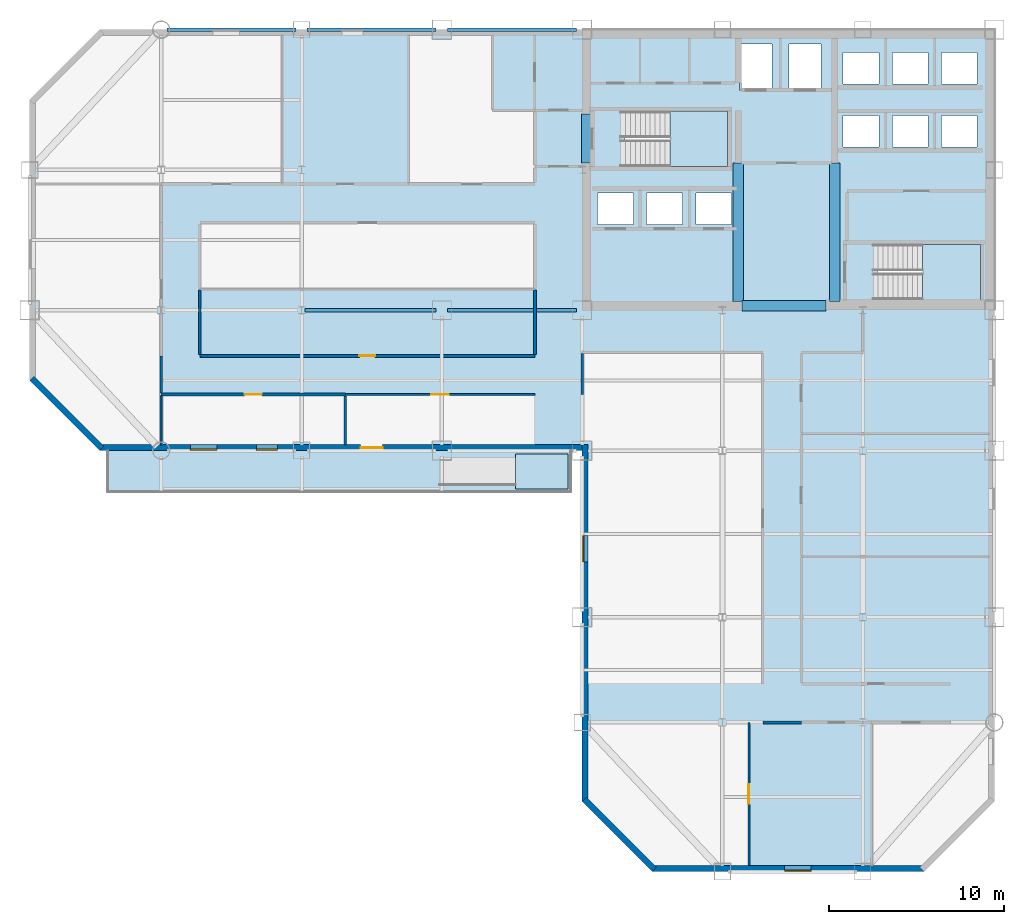
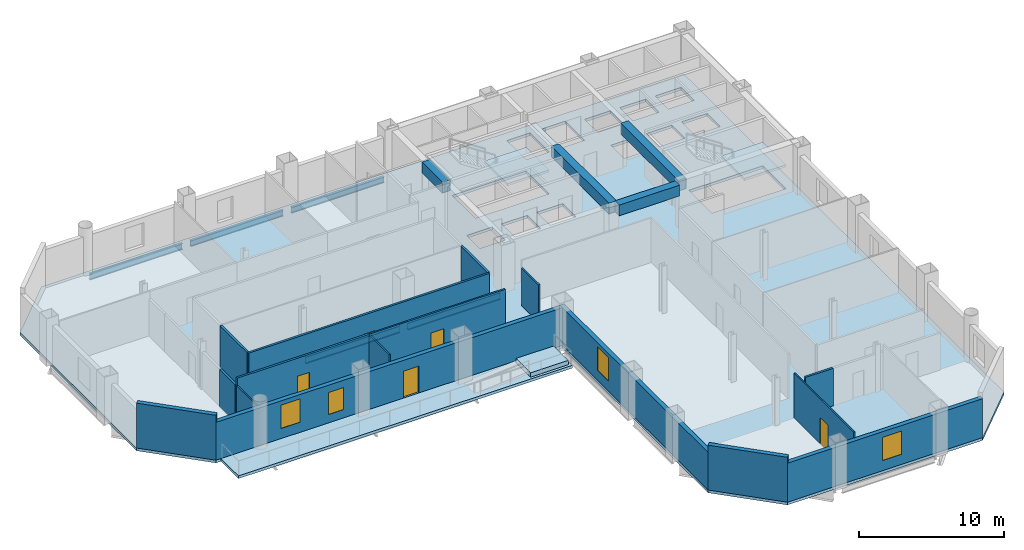
# One storey, part 5 of 10: 16 walls, 9 beams, 5 doors, 5 slabs, 4 windows, 9 openings, 3 elements without a shape of their own.
"""IFC4 building model written with IfcOpenShell, lengths in metres."""

from ifc_helpers import new_model, si_unit, direction, frame, frame_2d, origin, origin_2d, place, context, subcontext, project, spatial, polyline, rectangle, i_section, outline, extrude, material, layer, layer_set, material_profile, profile_set, type_object, element, fill, aggregate, save


model = new_model("IFC4")

# Units and contexts
model_context = context("Model", 3, precision=1e-05, world=origin(), true_north=direction((0.0, 1.0)))
body_context = subcontext(model_context, "Body", "Model", "MODEL_VIEW")
ifc_project = project(units=[si_unit("LENGTHUNIT", "METRE"), si_unit("AREAUNIT", "SQUARE_METRE"), si_unit("VOLUMEUNIT", "CUBIC_METRE"), si_unit("PLANEANGLEUNIT", "RADIAN"), si_unit("MASSUNIT", "GRAM", prefix="KILO")], contexts=[model_context])

# Site, building, storey
site_placement = place(None, origin())
site = spatial("IfcSite", under=ifc_project, at=site_placement, CompositionType="ELEMENT")
building_placement = place(site_placement, origin())
building = spatial("IfcBuilding", under=site, at=building_placement, Name="Qianrong Seaharbour Tower", CompositionType="ELEMENT")
storey_placement = place(building_placement, frame((0.0, 0.0, 187.0)))
storey = spatial("IfcBuildingStorey", under=building, at=storey_placement, Name="L45", CompositionType="ELEMENT", Elevation=187.0)

# Beams
ifc_material_1 = material(Name="Structural steel SN490B", Category="steel")
ifc_material_profile_1 = material_profile(ifc_material_1, i_section(OverallWidth=0.199951171875, OverallDepth=0.60009765625, WebThickness=0.010986328125, FlangeThickness=0.01708984375, FilletRadius=0.02197265625, at=origin_2d()), Name="H600x200x11x17")
ifc_profile_set_1 = profile_set([ifc_material_profile_1], Name="Structural steel SN490B")
beam_type_1 = type_object("IfcBeamType", Name="BM-G-600", PredefinedType="BEAM", material=ifc_profile_set_1)
beam_1_placement = place(storey_placement, frame((24.699951171875, 36.0, -0.534912109375), z_axis=(1.0, 0.0, 0.0), x_axis=(0.0, 1.0, 0.0)))
element("IfcBeam", 1, at=beam_1_placement, inside=storey, type_object=beam_type_1, Name="L45 Primary Girder GF G4-G5", PredefinedType="BEAM", context=body_context, shape_type="SweptSolid", body=[
    extrude(i_section(OverallWidth=0.199951171875, OverallDepth=0.60009765625, WebThickness=0.010986328125, FlangeThickness=0.01708984375, FilletRadius=0.02197265625, at=origin_2d()), origin(), (0.0, 0.0, 1.0), 7.47998046875),
])
beam_2_placement = place(storey_placement, frame((32.820068359375, 36.0, -0.534912109375), z_axis=(1.0, 0.0, 0.0), x_axis=(0.0, 1.0, 0.0)))
element("IfcBeam", 2, at=beam_2_placement, inside=storey, type_object=beam_type_1, Name="L45 Primary Girder GF G5-G6", PredefinedType="BEAM", context=body_context, shape_type="SweptSolid", body=[
    extrude(i_section(OverallWidth=0.199951171875, OverallDepth=0.60009765625, WebThickness=0.010986328125, FlangeThickness=0.01708984375, FilletRadius=0.02197265625, at=origin_2d()), origin(), (0.0, 0.0, 1.0), 7.35986328125),
])
ifc_material_2 = material(Name="Concrete C70/85", Category="concrete")
ifc_material_profile_2 = material_profile(ifc_material_2, rectangle(XDim=0.60009765625, YDim=0.89990234375, at=origin_2d()), Name="RC600x900")
ifc_profile_set_2 = profile_set([ifc_material_profile_2], Name="Concrete C70/85")
beam_type_2 = type_object("IfcBeamType", Name="BM-LINTEL-900", PredefinedType="LINTEL", material=ifc_profile_set_2)
beam_3_placement = place(storey_placement, frame((40.75, 44.39990234375, 3.31494140625), z_axis=(0.0, 1.0, 0.0), x_axis=(-1.0, 0.0, 0.0)))
element("IfcBeam", 3, at=beam_3_placement, inside=storey, type_object=beam_type_2, Name="L45 Core Coupling Lintel Beam West", PredefinedType="LINTEL", context=body_context, shape_type="SweptSolid", body=[
    extrude(rectangle(XDim=0.60009765625, YDim=0.89990234375, at=origin_2d()), origin(), (0.0, 0.0, 1.0), 2.800048828125),
])
beam_4_placement = place(storey_placement, frame((49.60009765625, 36.25, 3.31494140625), z_axis=(1.0, 0.0, 0.0), x_axis=(0.0, 1.0, 0.0)))
element("IfcBeam", 4, at=beam_4_placement, inside=storey, type_object=beam_type_2, Name="L45 Core Coupling Lintel Beam CBC", PredefinedType="LINTEL", context=body_context, shape_type="SweptSolid", body=[
    extrude(rectangle(XDim=0.60009765625, YDim=0.89990234375, at=origin_2d()), origin(), (0.0, 0.0, 1.0), 4.7998046875),
])
for number, where, z_axis, x_axis, name in (
    (5, (49.39990234375, 36.5, 3.31494140625), (0.0, 1.0, 0.0), (-1.0, 0.0, 0.0), "L45 Internal Core Coupling Beam IW1"),
    (6, (54.89990234375, 36.5, 3.31494140625), (0.0, 1.0, 0.0), (-1.0, 0.0, 0.0), "L45 Internal Core Coupling Beam IW2"),
):
    element("IfcBeam", number, at=place(storey_placement, frame(where, z_axis=z_axis, x_axis=x_axis)), inside=storey, type_object=beam_type_2, Name=name, PredefinedType="LINTEL", context=body_context, shape_type="SweptSolid", body=[
        extrude(rectangle(XDim=0.60009765625, YDim=0.89990234375, at=origin_2d()), origin(), (0.0, 0.0, 1.0), 7.89990234375),
    ])
ifc_material_profile_3 = material_profile(ifc_material_1, i_section(OverallWidth=0.199951171875, OverallDepth=0.5, WebThickness=0.010009765625, FlangeThickness=0.01611328125, FilletRadius=0.02001953125, at=origin_2d()), Name="H500x200x10x16")
ifc_profile_set_3 = profile_set([ifc_material_profile_3], Name="Structural steel SN490B")
beam_type_3 = type_object("IfcBeamType", Name="BM-SP-500", PredefinedType="SPANDREL", material=ifc_profile_set_3)
for number, where, z_axis, x_axis, name in (
    (7, (16.820068359375, 52.0, -0.485107421875), (1.0, 0.0, 0.0), (0.0, 1.0, 0.0), "L45 Spandrel Girder GH G3-G4"),
    (8, (24.820068359375, 52.0, -0.485107421875), (1.0, 0.0, 0.0), (0.0, 1.0, 0.0), "L45 Spandrel Girder GH G4-G5"),
    (9, (32.820068359375, 52.0, -0.485107421875), (1.0, 0.0, 0.0), (0.0, 1.0, 0.0), "L45 Spandrel Girder GH G5-G6"),
):
    element("IfcBeam", number, at=place(storey_placement, frame(where, z_axis=z_axis, x_axis=x_axis)), inside=storey, type_object=beam_type_3, Name=name, PredefinedType="SPANDREL", context=body_context, shape_type="SweptSolid", body=[
        extrude(i_section(OverallWidth=0.199951171875, OverallDepth=0.5, WebThickness=0.010009765625, FlangeThickness=0.01611328125, FilletRadius=0.02001953125, at=origin_2d()), origin(), (0.0, 0.0, 1.0), 7.35986328125),
    ])

# Ramp, slab
ifc_material_3 = material(Name="White architectural precast concrete C45/55", Category="concrete")
ramp_type = type_object("IfcRampType", Name="RAMP-RIBBON-GARDEN", PredefinedType="STRAIGHT_RUN_RAMP", material=ifc_material_3)
ramp_placement = place(storey_placement, origin())
ramp = element("IfcRamp", 10, at=ramp_placement, inside=storey, type_object=ramp_type, Name="L45 Harbourfront Garden Ribbon Ramp", PredefinedType="STRAIGHT_RUN_RAMP")
ifc_layer_1 = layer(ifc_material_3, 0.360107421875)
ifc_layer_set_1 = layer_set([ifc_layer_1], Name="White architectural precast concrete C45/55")
slab_type_1 = type_object("IfcSlabType", Name="SLAB-RAMP-LANDING-220", PredefinedType="LANDING", material=ifc_layer_set_1)
slab_1_placement = place(storey_placement, origin())
slab_1 = element("IfcSlab", 11, at=slab_1_placement, type_object=slab_type_1, Name="L45 Harbourfront Ribbon Raised Garden Landing", PredefinedType="LANDING", context=body_context, shape_type="SweptSolid", body=[
    extrude(outline(polyline([(36.699951171875, 25.800048828125), (39.699951171875, 25.800048828125), (39.699951171875, 27.800048828125), (36.699951171875, 27.800048828125), (36.699951171875, 25.800048828125)])), origin(), (0.0, 0.0, 1.0), 0.360107421875),
])
aggregate(ramp, [slab_1])

# Slab
ifc_layer_2 = layer(ifc_material_3, 0.235107421875)
ifc_layer_set_2 = layer_set([ifc_layer_2], Name="White architectural precast concrete C45/55")
slab_type_2 = type_object("IfcSlabType", Name="SLAB-RIBBON-235", PredefinedType="FLOOR", material=ifc_layer_set_2)
slab_2_placement = place(storey_placement, frame((0.0, 0.0, -0.235107421875)))
element("IfcSlab", 12, at=slab_2_placement, inside=storey, type_object=slab_type_2, Name="L45 Harbourfront White Precast Ribbon Gallery Slab", PredefinedType="FLOOR", context=body_context, shape_type="SweptSolid", body=[
    extrude(outline(polyline([(13.39990234375, 25.60009765625), (39.89990234375, 25.60009765625), (39.89990234375, 28.0), (13.39990234375, 28.0), (13.39990234375, 25.60009765625)])), origin(), (0.0, 0.0, 1.0), 0.235107421875),
])

# Stair, slab
ifc_material_4 = material(Name="Concrete C50/60", Category="concrete")
stair_type = type_object("IfcStairType", Name="STAIR-DOGLEG-1500-R22", PredefinedType="HALF_TURN_STAIR", material=ifc_material_4)
stair_1_placement = place(storey_placement, origin())
stair_1 = element("IfcStair", 13, at=stair_1_placement, inside=storey, type_object=stair_type, Name="L45 Protected Escape Stair ST-1", PredefinedType="HALF_TURN_STAIR")
ifc_layer_3 = layer(ifc_material_4, 0.199951171875)
ifc_layer_set_3 = layer_set([ifc_layer_3], Name="Concrete C50/60")
slab_type_3 = type_object("IfcSlabType", Name="SLAB-STAIR-LANDING-200", PredefinedType="LANDING", material=ifc_layer_set_3)
slab_3_placement = place(storey_placement, frame((0.0, 0.0, 1.800048828125)))
slab_3 = element("IfcSlab", 14, at=slab_3_placement, type_object=slab_type_3, Name="ST-1 landing 1", PredefinedType="LANDING", context=body_context, shape_type="SweptSolid", body=[
    extrude(outline(polyline([(45.5, 44.199951171875), (48.800048828125, 44.199951171875), (48.800048828125, 47.35009765625), (45.5, 47.35009765625), (45.5, 44.199951171875)])), origin(), (0.0, 0.0, 1.0), 0.199951171875),
])
aggregate(stair_1, [slab_3])

stair_2_placement = place(storey_placement, origin())
stair_2 = element("IfcStair", 15, at=stair_2_placement, inside=storey, type_object=stair_type, Name="L45 Protected Escape Stair ST-2", PredefinedType="HALF_TURN_STAIR")
slab_4_placement = place(storey_placement, frame((0.0, 0.0, 1.800048828125)))
slab_4 = element("IfcSlab", 16, at=slab_4_placement, type_object=slab_type_3, Name="ST-2 landing 1", PredefinedType="LANDING", context=body_context, shape_type="SweptSolid", body=[
    extrude(outline(polyline([(59.89990234375, 36.60009765625), (63.199951171875, 36.60009765625), (63.199951171875, 39.75), (59.89990234375, 39.75), (59.89990234375, 36.60009765625)])), origin(), (0.0, 0.0, 1.0), 0.199951171875),
])
aggregate(stair_2, [slab_4])

# Slab
ifc_layer_4 = layer(ifc_material_4, 0.235107421875)
ifc_layer_set_4 = layer_set([ifc_layer_4], Name="Concrete C50/60")
slab_type_4 = type_object("IfcSlabType", Name="SLAB-Z2-235", PredefinedType="FLOOR", material=ifc_layer_set_4)
slab_5_placement = place(storey_placement, frame((0.0, 0.0, -0.235107421875)))
element("IfcSlab", 17, at=slab_5_placement, inside=storey, type_object=slab_type_4, Name="L45 Structural Floor Slab", PredefinedType="FLOOR", context=body_context, shape_type="SweptSolid", body=[
    extrude(outline(polyline([(44.5, 4.0), (60.0, 4.0), (64.0, 8.0), (64.0, 52.0), (13.0, 52.0), (9.0, 48.0), (9.0, 32.0), (13.0, 28.0), (40.5, 28.0), (40.5, 8.0), (44.5, 4.0)]), holes=[polyline([(42.93994140625, 44.199951171875), (42.93994140625, 47.35009765625), (48.800048828125, 47.35009765625), (48.800048828125, 44.199951171875), (42.93994140625, 44.199951171875)]), polyline([(57.340087890625, 36.60009765625), (57.340087890625, 39.75), (63.199951171875, 39.75), (63.199951171875, 36.60009765625), (57.340087890625, 36.60009765625)]), polyline([(49.47998046875, 48.530029296875), (49.47998046875, 51.169921875), (51.320068359375, 51.169921875), (51.320068359375, 48.530029296875), (49.47998046875, 48.530029296875)]), polyline([(52.280029296875, 48.530029296875), (52.280029296875, 51.169921875), (54.1201171875, 51.169921875), (54.1201171875, 48.530029296875), (52.280029296875, 48.530029296875)]), polyline([(41.3798828125, 40.89990234375), (41.3798828125, 42.699951171875), (43.419921875, 42.699951171875), (43.419921875, 40.89990234375), (41.3798828125, 40.89990234375)]), polyline([(44.179931640625, 40.89990234375), (44.179931640625, 42.699951171875), (46.219970703125, 42.699951171875), (46.219970703125, 40.89990234375), (44.179931640625, 40.89990234375)]), polyline([(46.97998046875, 40.89990234375), (46.97998046875, 42.699951171875), (49.02001953125, 42.699951171875), (49.02001953125, 40.89990234375), (46.97998046875, 40.89990234375)]), polyline([(55.3798828125, 45.300048828125), (55.3798828125, 47.10009765625), (57.419921875, 47.10009765625), (57.419921875, 45.300048828125), (55.3798828125, 45.300048828125)]), polyline([(58.179931640625, 45.300048828125), (58.179931640625, 47.10009765625), (60.219970703125, 47.10009765625), (60.219970703125, 45.300048828125), (58.179931640625, 45.300048828125)]), polyline([(60.97998046875, 45.300048828125), (60.97998046875, 47.10009765625), (63.02001953125, 47.10009765625), (63.02001953125, 45.300048828125), (60.97998046875, 45.300048828125)]), polyline([(55.3798828125, 48.89990234375), (55.3798828125, 50.699951171875), (57.419921875, 50.699951171875), (57.419921875, 48.89990234375), (55.3798828125, 48.89990234375)]), polyline([(58.179931640625, 48.89990234375), (58.179931640625, 50.699951171875), (60.219970703125, 50.699951171875), (60.219970703125, 48.89990234375), (58.179931640625, 48.89990234375)]), polyline([(60.97998046875, 48.89990234375), (60.97998046875, 50.699951171875), (63.02001953125, 50.699951171875), (63.02001953125, 48.89990234375), (60.97998046875, 48.89990234375)])]), origin(), (0.0, 0.0, 1.0), 0.235107421875),
])

# Wall, opening, door
ifc_material_5 = material(Name="Fire-rated acoustic gypsum board partition")
ifc_layer_5 = layer(ifc_material_5, 0.1650390625)
ifc_layer_set_5 = layer_set([ifc_layer_5], Name="Fire-rated acoustic gypsum board partition")
wall_type_1 = type_object("IfcWallType", Name="WALL-CORR-PART-165", PredefinedType="PARTITIONING", material=ifc_layer_set_5)
wall_1_placement = place(storey_placement, frame((18.699951171875, 33.39990234375, 0.0), z_axis=(0.0, 0.0, 1.0), x_axis=(1.0, 0.0, 0.0)))
wall_1 = element("IfcWall", 18, at=wall_1_placement, inside=storey, type_object=wall_type_1, Name="L45 Interior Partition Wall 015", PredefinedType="PARTITIONING", context=body_context, shape_type="SweptSolid", body=[
    extrude(rectangle(XDim=19.10009765625, YDim=0.1650390625, at=frame_2d((9.550048828125, 0.0))), origin(), (0.0, 0.0, 1.0), 3.764892578125),
])
opening_1_placement = place(wall_1_placement, frame((9.10009765625, 0.0, 0.0)))
opening_1 = element("IfcOpeningElement", 19, at=opening_1_placement, cuts=wall_1, Name="Opening DS-01", PredefinedType="OPENING", context=body_context, shape_type="SweptSolid", body=[
    extrude(rectangle(XDim=0.89990234375, YDim=2.14990234375, at=frame_2d((0.449951171875, 1.074951171875))), frame((0.0, 0.092529296875, 0.0), z_axis=(0.0, -1.0, 0.0), x_axis=(1.0, 0.0, 0.0)), (0.0, 0.0, 1.0), 0.18505859375),
])
ifc_material_6 = material(Name="Acoustic timber and galvanized steel fire door assembly", Category="steel")
door_type_1 = type_object("IfcDoorType", Name="DOOR-STORE-900x2150", OperationType="NOTDEFINED", PredefinedType="DOOR", material=ifc_material_6)
door_1_placement = place(opening_1_placement, origin())
door_1 = element("IfcDoor", 20, at=door_1_placement, inside=storey, type_object=door_type_1, Name="L45 Deed Registry Vault Store 1 Door", OperationType="SINGLE_SWING_RIGHT", OverallHeight=2.14990234375, OverallWidth=0.89990234375, PredefinedType="DOOR", context=body_context, shape_type="SweptSolid", body=[
    extrude(rectangle(XDim=0.89990234375, YDim=2.14990234375, at=frame_2d((0.449951171875, 1.074951171875))), frame((0.0, 0.02490234375, 0.0), z_axis=(0.0, -1.0, 0.0), x_axis=(1.0, 0.0, 0.0)), (0.0, 0.0, 1.0), 0.050048828125),
])
fill(opening_1, door_1)

# Wall
wall_2_placement = place(storey_placement, frame((16.5, 31.2744140625, 0.0), z_axis=(0.0, 0.0, 1.0), x_axis=(0.0, 1.0, 0.0)))
element("IfcWall", 21, at=wall_2_placement, inside=storey, type_object=wall_type_1, Name="L45 Interior Partition Wall 016", PredefinedType="PARTITIONING", context=body_context, shape_type="SweptSolid", body=[
    extrude(rectangle(XDim=2.12548828125, YDim=0.1650390625, at=frame_2d((1.062744140625, 0.0))), origin(), (0.0, 0.0, 1.0), 3.156982421875),
])

# Wall, opening, door
wall_3_placement = place(storey_placement, frame((27.0, 31.199951171875, 0.0), z_axis=(0.0, 0.0, 1.0), x_axis=(-1.0, 0.0, 0.0)))
wall_3 = element("IfcWall", 22, at=wall_3_placement, inside=storey, type_object=wall_type_1, Name="L45 Interior Partition Wall 017", PredefinedType="PARTITIONING", context=body_context, shape_type="SweptSolid", body=[
    extrude(rectangle(XDim=10.5, YDim=0.1650390625, at=frame_2d((5.25, 0.0))), origin(), (0.0, 0.0, 1.0), 3.764892578125),
])
opening_2_placement = place(wall_3_placement, frame((4.760009765625, 0.0, 0.0)))
opening_2 = element("IfcOpeningElement", 23, at=opening_2_placement, cuts=wall_3, Name="Opening DE-01", PredefinedType="OPENING", context=body_context, shape_type="SweptSolid", body=[
    extrude(rectangle(XDim=0.97998046875, YDim=2.25, at=frame_2d((0.489990234375, 1.125))), frame((0.0, 0.092529296875, 0.0), z_axis=(0.0, -1.0, 0.0), x_axis=(1.0, 0.0, 0.0)), (0.0, 0.0, 1.0), 0.18505859375),
])
door_type_2 = type_object("IfcDoorType", Name="DOOR-EXEC-980x2250", OperationType="NOTDEFINED", PredefinedType="DOOR", material=ifc_material_6)
door_2_placement = place(opening_2_placement, origin())
door_2 = element("IfcDoor", 24, at=door_2_placement, inside=storey, type_object=door_type_2, Name="L45 Partner Chambers Office 1 Door", OperationType="SINGLE_SWING_LEFT", OverallHeight=2.25, OverallWidth=0.97998046875, PredefinedType="DOOR", context=body_context, shape_type="SweptSolid", body=[
    extrude(rectangle(XDim=0.97998046875, YDim=2.25, at=frame_2d((0.489990234375, 1.125))), frame((0.0, 0.02490234375, 0.0), z_axis=(0.0, -1.0, 0.0), x_axis=(1.0, 0.0, 0.0)), (0.0, 0.0, 1.0), 0.050048828125),
])
fill(opening_2, door_2)

# Walls
for number, where, z_axis, x_axis, name in (
    (25, (18.699951171875, 37.153076171875, 0.0), (0.0, 0.0, 1.0), (0.0, -1.0, 0.0), "L45 Interior Partition Wall 024"),
    (26, (37.800048828125, 33.474609375, 0.0), (0.0, 0.0, 1.0), (0.0, 1.0, 0.0), "L45 Interior Partition Wall 028"),
):
    element("IfcWall", number, at=place(storey_placement, frame(where, z_axis=z_axis, x_axis=x_axis)), inside=storey, type_object=wall_type_1, Name=name, PredefinedType="PARTITIONING", context=body_context, shape_type="SweptSolid", body=[
        extrude(rectangle(XDim=3.678466796875, YDim=0.1650390625, at=frame_2d((1.83935546875, 0.0))), origin(), (0.0, 0.0, 1.0), 3.764892578125),
    ])
wall_4_placement = place(storey_placement, frame((53.0, 12.5, 0.0), z_axis=(0.0, 0.0, 1.0), x_axis=(-1.0, 0.0, 0.0)))
element("IfcWall", 27, at=wall_4_placement, inside=storey, type_object=wall_type_1, Name="L45 Interior Partition Wall 038", PredefinedType="PARTITIONING", context=body_context, shape_type="SweptSolid", body=[
    extrude(rectangle(XDim=2.199951171875, YDim=0.1650390625, at=frame_2d((1.10009765625, 0.0))), origin(), (0.0, 0.0, 1.0), 3.156982421875),
])
ifc_material_7 = material(Name="Demountable aluminium-framed acoustic office partition", Category="aluminium")
ifc_layer_6 = layer(ifc_material_7, 0.110107421875)
ifc_layer_set_6 = layer_set([ifc_layer_6], Name="Demountable aluminium-framed acoustic office partition")
wall_type_2 = type_object("IfcWallType", Name="WALL-DEMOUNT-110", PredefinedType="MOVABLE", material=ifc_layer_set_6)
wall_5_placement = place(storey_placement, frame((16.5, 31.12548828125, 0.0), z_axis=(0.0, 0.0, 1.0), x_axis=(0.0, -1.0, 0.0)))
element("IfcWall", 28, at=wall_5_placement, inside=storey, type_object=wall_type_2, Name="L45 Interior Partition Wall 046", PredefinedType="MOVABLE", context=body_context, shape_type="SweptSolid", body=[
    extrude(rectangle(XDim=2.79345703125, YDim=0.110107421875, at=frame_2d((1.396728515625, 0.0))), origin(), (0.0, 0.0, 1.0), 3.156982421875),
])

# Wall, opening, door
wall_6_placement = place(storey_placement, frame((50.0, 12.5, 0.0), z_axis=(0.0, 0.0, 1.0), x_axis=(0.0, -1.0, 0.0)))
wall_6 = element("IfcWall", 29, at=wall_6_placement, inside=storey, type_object=wall_type_2, Name="L45 Interior Partition Wall 050", PredefinedType="MOVABLE", context=body_context, shape_type="SweptSolid", body=[
    extrude(rectangle(XDim=8.16796875, YDim=0.110107421875, at=frame_2d((4.083984375, 0.0))), origin(), (0.0, 0.0, 1.0), 3.764892578125),
])
opening_3_placement = place(wall_6_placement, frame((3.533935546875, 0.0, 0.0)))
opening_3 = element("IfcOpeningElement", 30, at=opening_3_placement, cuts=wall_6, Name="Opening DM-01", PredefinedType="OPENING", context=body_context, shape_type="SweptSolid", body=[
    extrude(rectangle(XDim=1.10009765625, YDim=2.199951171875, at=frame_2d((0.550048828125, 1.10009765625))), frame((0.0, 0.06494140625, 0.0), z_axis=(0.0, -1.0, 0.0), x_axis=(1.0, 0.0, 0.0)), (0.0, 0.0, 1.0), 0.130126953125),
])
door_type_3 = type_object("IfcDoorType", Name="DOOR-MEET-1100x2200", OperationType="NOTDEFINED", PredefinedType="DOOR", material=ifc_material_6)
door_3_placement = place(opening_3_placement, origin())
door_3 = element("IfcDoor", 31, at=door_3_placement, inside=storey, type_object=door_type_3, Name="L45 Mediation Meeting Room 1 Door", OperationType="SINGLE_SWING_LEFT", OverallHeight=2.199951171875, OverallWidth=1.10009765625, PredefinedType="DOOR", context=body_context, shape_type="SweptSolid", body=[
    extrude(rectangle(XDim=1.10009765625, YDim=2.199951171875, at=frame_2d((0.550048828125, 1.10009765625))), frame((0.0, 0.02490234375, 0.0), z_axis=(0.0, -1.0, 0.0), x_axis=(1.0, 0.0, 0.0)), (0.0, 0.0, 1.0), 0.050048828125),
])
fill(opening_3, door_3)

# Wall, opening, window
ifc_material_8 = material(Name="Unitised buff brick on Precast concrete C45/55", Category="masonry")
ifc_layer_7 = layer(ifc_material_8, 0.340087890625)
ifc_layer_set_7 = layer_set([ifc_layer_7], Name="Unitised buff brick on Precast concrete C45/55")
wall_type_3 = type_object("IfcWallType", Name="WALL-EXT-BRICK-BUFF-340", PredefinedType="SOLIDWALL", material=ifc_layer_set_7)
wall_7_placement = place(storey_placement, frame((40.669921875, 8.0, 0.0), z_axis=(0.0, 0.0, 1.0), x_axis=(0.0, 1.0, 0.0)))
wall_7 = element("IfcWall", 32, at=wall_7_placement, inside=storey, type_object=wall_type_3, Name="L45 Exterior Masonry Facade Wall REENTRANT_WEST", PredefinedType="SOLIDWALL", context=body_context, shape_type="SweptSolid", body=[
    extrude(rectangle(XDim=20.340087890625, YDim=0.340087890625, at=frame_2d((10.169921875, 0.0))), origin(), (0.0, 0.0, 1.0), 3.1650390625),
])
opening_4_placement = place(wall_7_placement, frame((13.64990234375, 0.0, 0.85009765625)))
opening_4 = element("IfcOpeningElement", 33, at=opening_4_placement, cuts=wall_7, Name="Opening WN-03", PredefinedType="OPENING", context=body_context, shape_type="SweptSolid", body=[
    extrude(rectangle(XDim=1.5, YDim=1.949951171875, at=frame_2d((0.75, 0.97509765625))), frame((0.0, 0.18017578125, 0.0), z_axis=(0.0, -1.0, 0.0), x_axis=(1.0, 0.0, 0.0)), (0.0, 0.0, 1.0), 0.360107421875),
])
ifc_material_9 = material(Name="Insulated low-e double glazing in thermally broken aluminium 6063-T6 frame", Category="aluminium")
window_type_1 = type_object("IfcWindowType", Name="WIN-PUNCH-1500x1950", PartitioningType="DOUBLE_PANEL_VERTICAL", PredefinedType="WINDOW", material=ifc_material_9)
window_1_placement = place(opening_4_placement, origin())
window_1 = element("IfcWindow", 34, at=window_1_placement, inside=storey, type_object=window_type_1, Name="L45 Deep-Set Punched Window 00.04", OverallHeight=1.949951171875, OverallWidth=1.5, PartitioningType="DOUBLE_PANEL_VERTICAL", PredefinedType="WINDOW", context=body_context, shape_type="SweptSolid", body=[
    extrude(rectangle(XDim=1.5, YDim=1.949951171875, at=frame_2d((0.75, 0.97509765625))), frame((0.0, 0.150146484375, 0.0), z_axis=(0.0, -1.0, 0.0), x_axis=(1.0, 0.0, 0.0)), (0.0, 0.0, 1.0), 0.06005859375),
])
fill(opening_4, window_1)

# Wall, openings, door, windows
wall_8_placement = place(storey_placement, frame((40.52001953125, 28.169921875, 0.0), z_axis=(0.0, 0.0, 1.0), x_axis=(-1.0, 0.0, 0.0)))
wall_8 = element("IfcWall", 35, at=wall_8_placement, inside=storey, type_object=wall_type_3, Name="L45 Exterior Masonry Facade Wall HARBOUR_RIBBON", PredefinedType="SOLIDWALL", context=body_context, shape_type="SweptSolid", body=[
    extrude(rectangle(XDim=27.52001953125, YDim=0.340087890625, at=frame_2d((13.760009765625, 0.0))), origin(), (0.0, 0.0, 1.0), 3.1650390625),
])
opening_5_placement = place(wall_8_placement, frame((17.39990234375, 0.0, 0.699951171875)))
opening_5 = element("IfcOpeningElement", 36, at=opening_5_placement, cuts=wall_8, Name="Opening WN-01", PredefinedType="OPENING", context=body_context, shape_type="SweptSolid", body=[
    extrude(rectangle(XDim=1.199951171875, YDim=1.85009765625, at=frame_2d((0.60009765625, 0.925048828125))), frame((0.0, 0.18017578125, 0.0), z_axis=(0.0, -1.0, 0.0), x_axis=(1.0, 0.0, 0.0)), (0.0, 0.0, 1.0), 0.360107421875),
])
opening_6_placement = place(wall_8_placement, frame((20.85009765625, 0.0, 0.85009765625)))
opening_6 = element("IfcOpeningElement", 37, at=opening_6_placement, cuts=wall_8, Name="Opening WN-03", PredefinedType="OPENING", context=body_context, shape_type="SweptSolid", body=[
    extrude(rectangle(XDim=1.5, YDim=1.949951171875, at=frame_2d((0.75, 0.97509765625))), frame((0.0, 0.18017578125, 0.0), z_axis=(0.0, -1.0, 0.0), x_axis=(1.0, 0.0, 0.0)), (0.0, 0.0, 1.0), 0.360107421875),
])
opening_7_placement = place(wall_8_placement, frame((11.39501953125, 0.0, 0.0)))
opening_7 = element("IfcOpeningElement", 38, at=opening_7_placement, cuts=wall_8, Name="Opening D-TER1", PredefinedType="OPENING", context=body_context, shape_type="SweptSolid", body=[
    extrude(rectangle(XDim=1.25, YDim=2.25, at=frame_2d((0.625, 1.125))), frame((0.0, 0.18017578125, 0.0), z_axis=(0.0, -1.0, 0.0), x_axis=(1.0, 0.0, 0.0)), (0.0, 0.0, 1.0), 0.360107421875),
])
ifc_material_10 = material(Name="Insulated galvanized steel and laminated glass door assembly", Category="steel")
door_type_4 = type_object("IfcDoorType", Name="DOOR-EXT-TERRACE-1250x2250", OperationType="NOTDEFINED", PredefinedType="DOOR", material=ifc_material_10)
door_4_placement = place(opening_7_placement, origin())
door_4 = element("IfcDoor", 39, at=door_4_placement, inside=storey, type_object=door_type_4, Name="L45 Harbourfront Ribbon Gallery Access Door", OperationType="SINGLE_SWING_RIGHT", OverallHeight=2.25, OverallWidth=1.25, PredefinedType="DOOR", context=body_context, shape_type="SweptSolid", body=[
    extrude(rectangle(XDim=1.25, YDim=2.25, at=frame_2d((0.625, 1.125))), frame((0.0, 0.02490234375, 0.0), z_axis=(0.0, -1.0, 0.0), x_axis=(1.0, 0.0, 0.0)), (0.0, 0.0, 1.0), 0.050048828125),
])
fill(opening_7, door_4)
window_type_2 = type_object("IfcWindowType", Name="WIN-PUNCH-1200x1850", PartitioningType="DOUBLE_PANEL_VERTICAL", PredefinedType="WINDOW", material=ifc_material_9)
window_2_placement = place(opening_5_placement, origin())
window_2 = element("IfcWindow", 40, at=window_2_placement, inside=storey, type_object=window_type_2, Name="L45 Deep-Set Punched Window 01.05", OverallHeight=1.85009765625, OverallWidth=1.199951171875, PartitioningType="DOUBLE_PANEL_VERTICAL", PredefinedType="WINDOW", context=body_context, shape_type="SweptSolid", body=[
    extrude(rectangle(XDim=1.199951171875, YDim=1.85009765625, at=frame_2d((0.60009765625, 0.925048828125))), frame((0.0, 0.150146484375, 0.0), z_axis=(0.0, -1.0, 0.0), x_axis=(1.0, 0.0, 0.0)), (0.0, 0.0, 1.0), 0.06005859375),
])
fill(opening_5, window_2)
window_3_placement = place(opening_6_placement, origin())
window_3 = element("IfcWindow", 41, at=window_3_placement, inside=storey, type_object=window_type_1, Name="L45 Deep-Set Punched Window 01.06", OverallHeight=1.949951171875, OverallWidth=1.5, PartitioningType="DOUBLE_PANEL_VERTICAL", PredefinedType="WINDOW", context=body_context, shape_type="SweptSolid", body=[
    extrude(rectangle(XDim=1.5, YDim=1.949951171875, at=frame_2d((0.75, 0.97509765625))), frame((0.0, 0.150146484375, 0.0), z_axis=(0.0, -1.0, 0.0), x_axis=(1.0, 0.0, 0.0)), (0.0, 0.0, 1.0), 0.06005859375),
])
fill(opening_6, window_3)

# Wall
wall_9_placement = place(storey_placement, frame((13.1201171875, 28.1201171875, 0.0), z_axis=(0.0, 0.0, 1.0), x_axis=(-0.707106781187, 0.707106781187, 0.0)))
element("IfcWall", 42, at=wall_9_placement, inside=storey, type_object=wall_type_3, Name="L45 Exterior Masonry Facade Wall E02", PredefinedType="SOLIDWALL", context=body_context, shape_type="SweptSolid", body=[
    extrude(rectangle(XDim=5.65673828125, YDim=0.340087890625, at=frame_2d((2.828369140625, 0.0))), origin(), (0.0, 0.0, 1.0), 3.764892578125),
])

# Wall, opening, window
wall_10_placement = place(storey_placement, frame((60.0, 4.169921875, 0.0), z_axis=(0.0, 0.0, 1.0), x_axis=(-1.0, 0.0, 0.0)))
wall_10 = element("IfcWall", 43, at=wall_10_placement, inside=storey, type_object=wall_type_3, Name="L45 Exterior Masonry Facade Wall SOUTH_TIP", PredefinedType="SOLIDWALL", context=body_context, shape_type="SweptSolid", body=[
    extrude(rectangle(XDim=15.5, YDim=0.340087890625, at=frame_2d((7.75, 0.0))), origin(), (0.0, 0.0, 1.0), 3.264892578125),
])
opening_8_placement = place(wall_10_placement, frame((6.449951171875, 0.0, 0.85009765625)))
opening_8 = element("IfcOpeningElement", 44, at=opening_8_placement, cuts=wall_10, Name="Opening WN-03", PredefinedType="OPENING", context=body_context, shape_type="SweptSolid", body=[
    extrude(rectangle(XDim=1.5, YDim=1.949951171875, at=frame_2d((0.75, 0.97509765625))), frame((0.0, 0.18017578125, 0.0), z_axis=(0.0, -1.0, 0.0), x_axis=(1.0, 0.0, 0.0)), (0.0, 0.0, 1.0), 0.360107421875),
])
window_4_placement = place(opening_8_placement, origin())
window_4 = element("IfcWindow", 45, at=window_4_placement, inside=storey, type_object=window_type_1, Name="L45 Deep-Set Punched Window 08.02", OverallHeight=1.949951171875, OverallWidth=1.5, PartitioningType="DOUBLE_PANEL_VERTICAL", PredefinedType="WINDOW", context=body_context, shape_type="SweptSolid", body=[
    extrude(rectangle(XDim=1.5, YDim=1.949951171875, at=frame_2d((0.75, 0.97509765625))), frame((0.0, 0.150146484375, 0.0), z_axis=(0.0, -1.0, 0.0), x_axis=(1.0, 0.0, 0.0)), (0.0, 0.0, 1.0), 0.06005859375),
])
fill(opening_8, window_4)

# Wall
wall_11_placement = place(storey_placement, frame((44.6201171875, 4.1201171875, 0.0), z_axis=(0.0, 0.0, 1.0), x_axis=(-0.707106781187, 0.707106781187, 0.0)))
element("IfcWall", 46, at=wall_11_placement, inside=storey, type_object=wall_type_3, Name="L45 Exterior Masonry Facade Wall E09", PredefinedType="SOLIDWALL", context=body_context, shape_type="SweptSolid", body=[
    extrude(rectangle(XDim=5.65673828125, YDim=0.340087890625, at=frame_2d((2.828369140625, 0.0))), origin(), (0.0, 0.0, 1.0), 3.764892578125),
])

# Wall, opening, door
ifc_material_11 = material(Name="Water-resistant cement board sanitary partition")
ifc_layer_8 = layer(ifc_material_11, 0.1298828125)
ifc_layer_set_8 = layer_set([ifc_layer_8], Name="Water-resistant cement board sanitary partition")
wall_type_4 = type_object("IfcWallType", Name="WALL-WET-PART-130", PredefinedType="PARTITIONING", material=ifc_layer_set_8)
wall_12_placement = place(storey_placement, frame((37.800048828125, 31.199951171875, 0.0), z_axis=(0.0, 0.0, 1.0), x_axis=(-1.0, 0.0, 0.0)))
wall_12 = element("IfcWall", 47, at=wall_12_placement, inside=storey, type_object=wall_type_4, Name="L45 Interior Partition Wall 018", PredefinedType="PARTITIONING", context=body_context, shape_type="SweptSolid", body=[
    extrude(rectangle(XDim=10.800048828125, YDim=0.1298828125, at=frame_2d((5.39990234375, 0.0))), origin(), (0.0, 0.0, 1.0), 3.764892578125),
])
opening_9_placement = place(wall_12_placement, frame((4.89990234375, 0.0, 0.0)))
opening_9 = element("IfcOpeningElement", 48, at=opening_9_placement, cuts=wall_12, Name="Opening DO-01", PredefinedType="OPENING", context=body_context, shape_type="SweptSolid", body=[
    extrude(rectangle(XDim=1.0, YDim=2.14990234375, at=frame_2d((0.5, 1.074951171875))), frame((0.0, 0.074951171875, 0.0), z_axis=(0.0, -1.0, 0.0), x_axis=(1.0, 0.0, 0.0)), (0.0, 0.0, 1.0), 0.14990234375),
])
door_type_5 = type_object("IfcDoorType", Name="DOOR-OFFICE-1000x2150", OperationType="NOTDEFINED", PredefinedType="DOOR", material=ifc_material_6)
door_5_placement = place(opening_9_placement, origin())
door_5 = element("IfcDoor", 49, at=door_5_placement, inside=storey, type_object=door_type_5, Name="L45 Wet Pantry 2 Door", OperationType="SINGLE_SWING_RIGHT", OverallHeight=2.14990234375, OverallWidth=1.0, PredefinedType="DOOR", context=body_context, shape_type="SweptSolid", body=[
    extrude(rectangle(XDim=1.0, YDim=2.14990234375, at=frame_2d((0.5, 1.074951171875))), frame((0.0, 0.02490234375, 0.0), z_axis=(0.0, -1.0, 0.0), x_axis=(1.0, 0.0, 0.0)), (0.0, 0.0, 1.0), 0.050048828125),
])
fill(opening_9, door_5)

# Walls
wall_13_placement = place(storey_placement, frame((40.5, 33.54296875, 0.0), z_axis=(0.0, 0.0, 1.0), x_axis=(0.0, -1.0, 0.0)))
element("IfcWall", 50, at=wall_13_placement, inside=storey, type_object=wall_type_4, Name="L45 Interior Partition Wall 030", PredefinedType="PARTITIONING", context=body_context, shape_type="SweptSolid", body=[
    extrude(rectangle(XDim=2.343017578125, YDim=0.1298828125, at=frame_2d((1.17138671875, 0.0))), origin(), (0.0, 0.0, 1.0), 3.156982421875),
])
wall_14_placement = place(storey_placement, frame((27.0, 31.12548828125, 0.0), z_axis=(0.0, 0.0, 1.0), x_axis=(0.0, -1.0, 0.0)))
element("IfcWall", 51, at=wall_14_placement, inside=storey, type_object=wall_type_4, Name="L45 Interior Partition Wall 047", PredefinedType="PARTITIONING", context=body_context, shape_type="SweptSolid", body=[
    extrude(rectangle(XDim=2.79345703125, YDim=0.1298828125, at=frame_2d((1.396728515625, 0.0))), origin(), (0.0, 0.0, 1.0), 3.764892578125),
])

save(model, "model.ifc")
